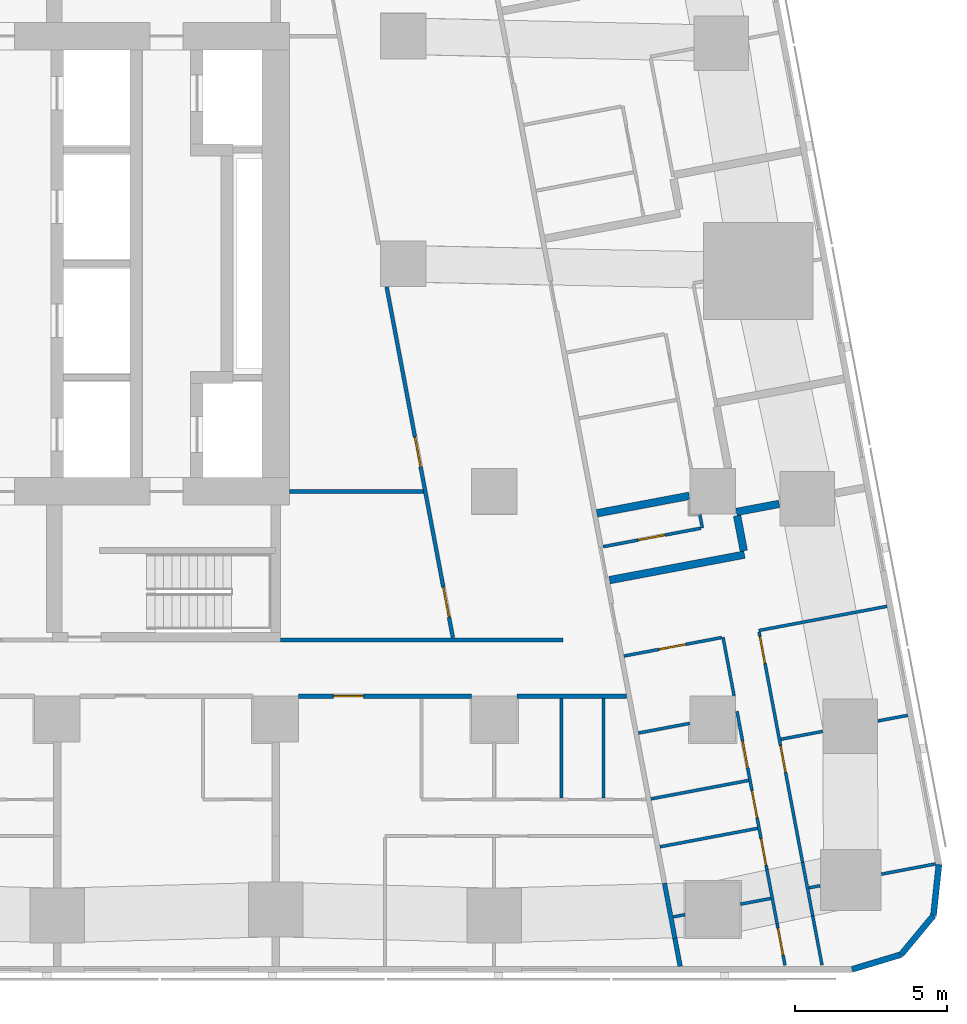
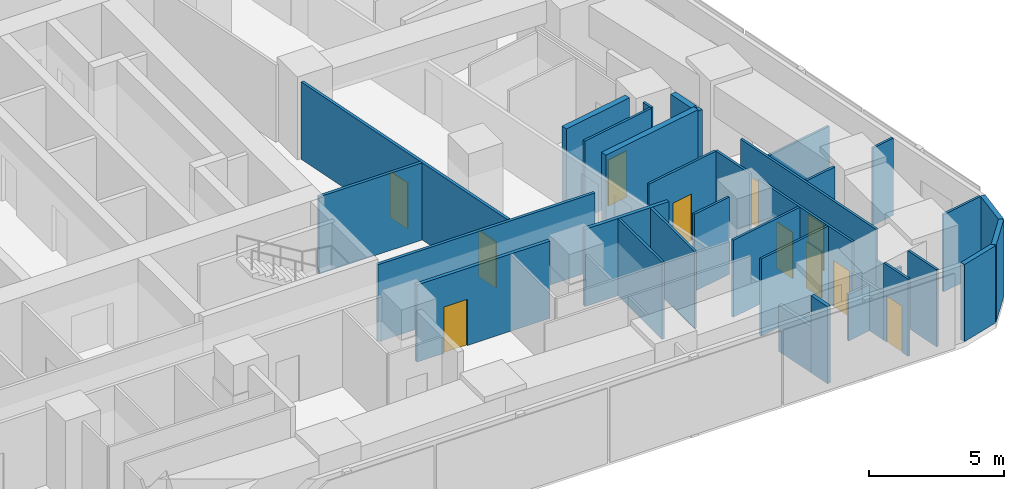
# One storey, part 6 of 15: 36 walls, 11 doors, 11 openings.
"""IFC4 building model written with IfcOpenShell, lengths in metres."""

from ifc_helpers import new_model, si_unit, direction, frame, frame_2d, origin, place, context, subcontext, project, spatial, rectangle, extrude, material, layer, layer_set, type_object, element, fill, save


model = new_model("IFC4")

# Units and contexts
model_context = context("Model", 3, precision=1e-05, world=origin(), true_north=direction((0.0, 1.0)))
body_context = subcontext(model_context, "Body", "Model", "MODEL_VIEW")
ifc_project = project(units=[si_unit("LENGTHUNIT", "METRE"), si_unit("AREAUNIT", "SQUARE_METRE"), si_unit("VOLUMEUNIT", "CUBIC_METRE"), si_unit("PLANEANGLEUNIT", "RADIAN"), si_unit("MASSUNIT", "GRAM", prefix="KILO")], contexts=[model_context])

# Site, building, storey
site_placement = place(None, origin())
site = spatial("IfcSite", under=ifc_project, at=site_placement, CompositionType="ELEMENT")
building_placement = place(site_placement, origin())
building = spatial("IfcBuilding", under=site, at=building_placement, Name="Sheger Commons Tower", CompositionType="ELEMENT")
storey_placement = place(building_placement, frame((0.0, 0.0, 177.050048828125)))
storey = spatial("IfcBuildingStorey", under=building, at=storey_placement, Name="L45", CompositionType="ELEMENT", Elevation=177.050048828125)

# Wall
ifc_material_1 = material(Name="Hollow concrete block masonry, skimmed both sides", Category="masonry")
ifc_layer_1 = layer(ifc_material_1, 0.14990234375)
ifc_layer_set_1 = layer_set([ifc_layer_1], Name="CORRIDOR WALL 150")
wall_type_1 = type_object("IfcWallType", Name="CORRIDOR WALL 150", PredefinedType="SOLIDWALL", material=ifc_layer_set_1)
wall_1_placement = place(storey_placement, frame((40.35595703125, 8.25, 0.0), z_axis=(0.0, 0.0, 1.0), x_axis=(-1.0, 0.0, 0.0)))
element("IfcWall", 1, at=wall_1_placement, inside=storey, type_object=wall_type_1, Name="Corridor wall L45", PredefinedType="SOLIDWALL", context=body_context, shape_type="SweptSolid", body=[
    extrude(rectangle(XDim=3.60498046875, YDim=0.14990234375, at=frame_2d((1.802490234375, 0.0))), origin(), (0.0, 0.0, 1.0), 3.5),
])

# Wall, opening, door
wall_2_placement = place(storey_placement, frame((35.2490234375, 8.25, 0.0), z_axis=(0.0, 0.0, 1.0), x_axis=(-1.0, 0.0, 0.0)))
wall_2 = element("IfcWall", 2, at=wall_2_placement, inside=storey, type_object=wall_type_1, Name="Corridor wall L45", PredefinedType="SOLIDWALL", context=body_context, shape_type="SweptSolid", body=[
    extrude(rectangle(XDim=5.697998046875, YDim=0.14990234375, at=frame_2d((2.84912109375, 0.0))), origin(), (0.0, 0.0, 1.0), 3.5),
])
opening_1_placement = place(wall_2_placement, frame((3.549072265625, 0.0, 0.0)))
opening_1 = element("IfcOpeningElement", 3, at=opening_1_placement, cuts=wall_2, Name="Opening D1", PredefinedType="OPENING", context=body_context, shape_type="SweptSolid", body=[
    extrude(rectangle(XDim=1.0, YDim=2.10009765625, at=frame_2d((0.5, 1.050048828125))), frame((0.0, 0.0849609375, 0.0), z_axis=(0.0, -1.0, 0.0), x_axis=(1.0, 0.0, 0.0)), (0.0, 0.0, 1.0), 0.169921875),
])
ifc_material_2 = material(Name="Steel door set, fire rated", Category="steel")
door_type_1 = type_object("IfcDoorType", Name="FLAT ENTRANCE DOOR 1000x2100", OperationType="NOTDEFINED", PredefinedType="DOOR", material=ifc_material_2)
door_1_placement = place(opening_1_placement, origin())
door_1 = element("IfcDoor", 4, at=door_1_placement, inside=storey, type_object=door_type_1, Name="Flat entrance door", OperationType="SINGLE_SWING_RIGHT", OverallHeight=2.10009765625, OverallWidth=1.0, PredefinedType="DOOR", context=body_context, shape_type="SweptSolid", body=[
    extrude(rectangle(XDim=1.0, YDim=2.10009765625, at=frame_2d((0.5, 1.050048828125))), frame((0.0, 0.02490234375, 0.0), z_axis=(0.0, -1.0, 0.0), x_axis=(1.0, 0.0, 0.0)), (0.0, 0.0, 1.0), 0.050048828125),
])
fill(opening_1, door_1)

# Walls
wall_3_placement = place(storey_placement, frame((41.60888671875, 2.093017578125, 0.0), z_axis=(0.0, 0.0, 1.0), x_axis=(0.185708872674, -0.982604811005, 0.0)))
element("IfcWall", 5, at=wall_3_placement, inside=storey, type_object=wall_type_1, Name="Corridor wall L45", PredefinedType="SOLIDWALL", context=body_context, shape_type="SweptSolid", body=[
    extrude(rectangle(XDim=1.84716796875, YDim=0.14990234375, at=frame_2d((0.923583984375, 0.0))), origin(), (0.0, 0.0, 1.0), 2.099853515625),
])
wall_4_placement = place(storey_placement, frame((41.951904296875, 0.278076171875, 0.0), z_axis=(0.0, 0.0, 1.0), x_axis=(0.185365466984, -0.982669651332, 0.0)))
element("IfcWall", 6, at=wall_4_placement, inside=storey, type_object=wall_type_1, Name="Corridor wall L45", PredefinedType="SOLIDWALL", context=body_context, shape_type="SweptSolid", body=[
    extrude(rectangle(XDim=0.9443359375, YDim=0.14990234375, at=frame_2d((0.47216796875, 0.0))), origin(), (0.0, 0.0, 1.0), 3.5),
])
ifc_material_3 = material(Name="Dense concrete block masonry, plastered both sides (separating wall between flats)", Category="masonry")
ifc_layer_2 = layer(ifc_material_3, 0.25)
ifc_layer_set_2 = layer_set([ifc_layer_2], Name="DEMISING WALL 250")
wall_type_2 = type_object("IfcWallType", Name="DEMISING WALL 250", PredefinedType="SOLIDWALL", material=ifc_layer_set_2)
wall_5_placement = place(storey_placement, frame((42.426025390625, 14.85400390625, 0.0), z_axis=(0.0, 0.0, 1.0), x_axis=(-0.982603320446, -0.185716759201, 0.0)))
element("IfcWall", 7, at=wall_5_placement, inside=storey, type_object=wall_type_2, Name="Demising wall L45", PredefinedType="SOLIDWALL", context=body_context, shape_type="SweptSolid", body=[
    extrude(rectangle(XDim=3.095947265625, YDim=0.25, at=frame_2d((1.5478515625, 0.0))), origin(), (0.0, 0.0, 1.0), 3.5),
])
wall_6_placement = place(storey_placement, frame((45.389892578125, 14.587890625, 0.0), z_axis=(0.0, 0.0, 1.0), x_axis=(-0.982680951688, -0.18530555089, 0.0)))
element("IfcWall", 8, at=wall_6_placement, inside=storey, type_object=wall_type_2, Name="Demising wall L45", PredefinedType="SOLIDWALL", context=body_context, shape_type="SweptSolid", body=[
    extrude(rectangle(XDim=1.434814453125, YDim=0.25, at=frame_2d((0.71728515625, 0.0))), origin(), (0.0, 0.0, 1.0), 2.099853515625),
])
wall_7_placement = place(storey_placement, frame((44.24609375, 12.916015625, 0.0), z_axis=(0.0, 0.0, 1.0), x_axis=(-0.982612837616, -0.185666398014, 0.0)))
element("IfcWall", 9, at=wall_7_placement, inside=storey, type_object=wall_type_2, Name="Demising wall L45", PredefinedType="SOLIDWALL", context=body_context, shape_type="SweptSolid", body=[
    extrude(rectangle(XDim=4.524658203125, YDim=0.25, at=frame_2d((2.26220703125, 0.0))), origin(), (0.0, 0.0, 1.0), 3.5),
])
wall_8_placement = place(storey_placement, frame((44.0029296875, 14.198974609375, 0.0), z_axis=(0.0, 0.0, 1.0), x_axis=(0.186323326179, -0.982488482437, 0.0)))
element("IfcWall", 10, at=wall_8_placement, inside=storey, type_object=wall_type_2, Name="Demising wall L45", PredefinedType="SOLIDWALL", context=body_context, shape_type="SweptSolid", body=[
    extrude(rectangle(XDim=1.1806640625, YDim=0.25, at=frame_2d((0.59033203125, 0.0))), origin(), (0.0, 0.0, 1.0), 3.5),
])
ifc_material_4 = material(Name="Rendered concrete block masonry, dark grey", Category="masonry")
ifc_layer_3 = layer(ifc_material_4, 0.199951171875)
ifc_layer_set_3 = layer_set([ifc_layer_3], Name="FACADE WALL 200")
wall_type_3 = type_object("IfcWallType", Name="FACADE WALL 200", PredefinedType="SOLIDWALL", material=ifc_layer_set_3)
wall_9_placement = place(storey_placement, frame((47.791015625, -0.75, 0.0), z_axis=(0.0, 0.0, 1.0), x_axis=(0.957455232626, 0.288581838509, 0.0)))
element("IfcWall", 11, at=wall_9_placement, inside=storey, type_object=wall_type_3, Name="Facade wall L45", PredefinedType="SOLIDWALL", context=body_context, shape_type="SweptSolid", body=[
    extrude(rectangle(XDim=1.687744140625, YDim=0.199951171875, at=frame_2d((0.84375, 0.0))), origin(), (0.0, 0.0, 1.0), 3.5),
])
wall_10_placement = place(storey_placement, frame((49.406982421875, -0.262939453125, 0.0), z_axis=(0.0, 0.0, 1.0), x_axis=(0.638042593423, 0.770001070764, 0.0)))
element("IfcWall", 12, at=wall_10_placement, inside=storey, type_object=wall_type_3, Name="Facade wall L45", PredefinedType="SOLIDWALL", context=body_context, shape_type="SweptSolid", body=[
    extrude(rectangle(XDim=1.672607421875, YDim=0.199951171875, at=frame_2d((0.83642578125, 0.0))), origin(), (0.0, 0.0, 1.0), 3.5),
])
wall_11_placement = place(storey_placement, frame((50.47412109375, 1.02490234375, 0.0), z_axis=(0.0, 0.0, 1.0), x_axis=(0.106047815515, 0.994361031429, 0.0)))
element("IfcWall", 13, at=wall_11_placement, inside=storey, type_object=wall_type_3, Name="Facade wall L45", PredefinedType="SOLIDWALL", context=body_context, shape_type="SweptSolid", body=[
    extrude(rectangle(XDim=1.6875, YDim=0.199951171875, at=frame_2d((0.84375, 0.0))), origin(), (0.0, 0.0, 1.0), 3.5),
])
ifc_material_5 = material(Name="Gypsum board on steel studs", Category="steel")
ifc_layer_4 = layer(ifc_material_5, 0.10009765625)
ifc_layer_set_4 = layer_set([ifc_layer_4], Name="PARTITION 100")
wall_type_4 = type_object("IfcWallType", Name="PARTITION 100", PredefinedType="PARTITIONING", material=ifc_layer_set_4)
for number, where, z_axis, x_axis, name in (
    (14, (39.60009765625, 4.89990234375, 0.0), (0.0, 0.0, 1.0), (0.0, 1.0, 0.0), "Partition L45"),
    (15, (38.2099609375, 4.89990234375, 0.0), (0.0, 0.0, 1.0), (0.0, 1.0, 0.0), "Partition L45"),
):
    element("IfcWall", number, at=place(storey_placement, frame(where, z_axis=z_axis, x_axis=x_axis)), inside=storey, type_object=wall_type_4, Name=name, PredefinedType="PARTITIONING", context=body_context, shape_type="SweptSolid", body=[
        extrude(rectangle(XDim=3.275146484375, YDim=0.10009765625, at=frame_2d((1.6376953125, 0.0))), origin(), (0.0, 0.0, 1.0), 3.5),
    ])
wall_12_placement = place(storey_placement, frame((42.77490234375, 14.239990234375, 0.0), z_axis=(0.0, 0.0, 1.0), x_axis=(0.185035443692, -0.982731847748, 0.0)))
element("IfcWall", 16, at=wall_12_placement, inside=storey, type_object=wall_type_4, Name="Partition L45", PredefinedType="PARTITIONING", context=body_context, shape_type="SweptSolid", body=[
    extrude(rectangle(XDim=0.453857421875, YDim=0.10009765625, at=frame_2d((0.22705078125, 0.0))), origin(), (0.0, 0.0, 1.0), 3.5),
])

# Wall, opening, door
wall_13_placement = place(storey_placement, frame((42.81005859375, 13.784912109375, 0.0), z_axis=(0.0, 0.0, 1.0), x_axis=(-0.982620626894, -0.185625169636, 0.0)))
wall_13 = element("IfcWall", 17, at=wall_13_placement, inside=storey, type_object=wall_type_4, Name="Partition L45", PredefinedType="PARTITIONING", context=body_context, shape_type="SweptSolid", body=[
    extrude(rectangle(XDim=3.27490234375, YDim=0.10009765625, at=frame_2d((1.637451171875, 0.0))), origin(), (0.0, 0.0, 1.0), 3.5),
])
opening_2_placement = place(wall_13_placement, frame((1.200927734375, 0.0, 0.0)))
opening_2 = element("IfcOpeningElement", 18, at=opening_2_placement, cuts=wall_13, Name="Opening D2", PredefinedType="OPENING", context=body_context, shape_type="SweptSolid", body=[
    extrude(rectangle(XDim=0.89990234375, YDim=2.10009765625, at=frame_2d((0.449951171875, 1.050048828125))), frame((0.0, 0.06005859375, 0.0), z_axis=(0.0, -1.0, 0.0), x_axis=(1.0, 0.0, 0.0)), (0.0, 0.0, 1.0), 0.1201171875),
])
ifc_material_6 = material(Name="Timber door set", Category="wood")
door_type_2 = type_object("IfcDoorType", Name="INTERNAL DOOR 900x2100", OperationType="NOTDEFINED", PredefinedType="DOOR", material=ifc_material_6)
door_2_placement = place(opening_2_placement, origin())
door_2 = element("IfcDoor", 19, at=door_2_placement, inside=storey, type_object=door_type_2, Name="Shower room door", OperationType="SINGLE_SWING_LEFT", OverallHeight=2.10009765625, OverallWidth=0.89990234375, PredefinedType="DOOR", context=body_context, shape_type="SweptSolid", body=[
    extrude(rectangle(XDim=0.89990234375, YDim=2.10009765625, at=frame_2d((0.449951171875, 1.050048828125))), frame((0.0, 0.02490234375, 0.0), z_axis=(0.0, -1.0, 0.0), x_axis=(1.0, 0.0, 0.0)), (0.0, 0.0, 1.0), 0.050048828125),
])
fill(opening_2, door_2)

# Wall, openings, doors
wall_14_placement = place(storey_placement, frame((44.72705078125, 10.365966796875, 0.0), z_axis=(0.0, 0.0, 1.0), x_axis=(0.185578957652, -0.982629355595, 0.0)))
wall_14 = element("IfcWall", 20, at=wall_14_placement, inside=storey, type_object=wall_type_4, Name="Partition L45", PredefinedType="PARTITIONING", context=body_context, shape_type="SweptSolid", body=[
    extrude(rectangle(XDim=7.720947265625, YDim=0.10009765625, at=frame_2d((3.8603515625, 0.0))), origin(), (0.0, 0.0, 1.0), 3.5),
])
opening_3_placement = place(wall_14_placement, frame((0.15087890625, 0.0, 0.0)))
opening_3 = element("IfcOpeningElement", 21, at=opening_3_placement, cuts=wall_14, Name="Opening D2", PredefinedType="OPENING", context=body_context, shape_type="SweptSolid", body=[
    extrude(rectangle(XDim=0.89990234375, YDim=2.10009765625, at=frame_2d((0.449951171875, 1.050048828125))), frame((0.0, 0.06005859375, 0.0), z_axis=(0.0, -1.0, 0.0), x_axis=(1.0, 0.0, 0.0)), (0.0, 0.0, 1.0), 0.1201171875),
])
opening_4_placement = place(wall_14_placement, frame((3.805908203125, 0.0, 0.0)))
opening_4 = element("IfcOpeningElement", 22, at=opening_4_placement, cuts=wall_14, Name="Opening D2", PredefinedType="OPENING", context=body_context, shape_type="SweptSolid", body=[
    extrude(rectangle(XDim=0.89990234375, YDim=2.10009765625, at=frame_2d((0.449951171875, 1.050048828125))), frame((0.0, 0.06005859375, 0.0), z_axis=(0.0, -1.0, 0.0), x_axis=(1.0, 0.0, 0.0)), (0.0, 0.0, 1.0), 0.1201171875),
])
door_3_placement = place(opening_3_placement, origin())
door_3 = element("IfcDoor", 23, at=door_3_placement, inside=storey, type_object=door_type_2, Name="Main bedroom door", OperationType="SINGLE_SWING_LEFT", OverallHeight=2.10009765625, OverallWidth=0.89990234375, PredefinedType="DOOR", context=body_context, shape_type="SweptSolid", body=[
    extrude(rectangle(XDim=0.89990234375, YDim=2.10009765625, at=frame_2d((0.449951171875, 1.050048828125))), frame((0.0, 0.02490234375, 0.0), z_axis=(0.0, -1.0, 0.0), x_axis=(1.0, 0.0, 0.0)), (0.0, 0.0, 1.0), 0.050048828125),
])
fill(opening_3, door_3)
door_4_placement = place(opening_4_placement, origin())
door_4 = element("IfcDoor", 24, at=door_4_placement, inside=storey, type_object=door_type_2, Name="Bedroom 2 door", OperationType="SINGLE_SWING_LEFT", OverallHeight=2.10009765625, OverallWidth=0.89990234375, PredefinedType="DOOR", context=body_context, shape_type="SweptSolid", body=[
    extrude(rectangle(XDim=0.89990234375, YDim=2.10009765625, at=frame_2d((0.449951171875, 1.050048828125))), frame((0.0, 0.02490234375, 0.0), z_axis=(0.0, -1.0, 0.0), x_axis=(1.0, 0.0, 0.0)), (0.0, 0.0, 1.0), 0.050048828125),
])
fill(opening_4, door_4)

# Walls
wall_15_placement = place(storey_placement, frame((46.159912109375, 2.779052734375, 0.0), z_axis=(0.0, 0.0, 1.0), x_axis=(0.18597295662, -0.982554863306, 0.0)))
element("IfcWall", 25, at=wall_15_placement, inside=storey, type_object=wall_type_4, Name="Partition L45", PredefinedType="PARTITIONING", context=body_context, shape_type="SweptSolid", body=[
    extrude(rectangle(XDim=1.802490234375, YDim=0.10009765625, at=frame_2d((0.9013671875, 0.0))), origin(), (0.0, 0.0, 1.0), 2.099853515625),
])
wall_16_placement = place(storey_placement, frame((46.4951171875, 1.008056640625, 0.0), z_axis=(0.0, 0.0, 1.0), x_axis=(0.185535059532, -0.982637645159, 0.0)))
element("IfcWall", 26, at=wall_16_placement, inside=storey, type_object=wall_type_4, Name="Partition L45", PredefinedType="PARTITIONING", context=body_context, shape_type="SweptSolid", body=[
    extrude(rectangle(XDim=1.6435546875, YDim=0.10009765625, at=frame_2d((0.82177734375, 0.0))), origin(), (0.0, 0.0, 1.0), 3.5),
])
wall_17_placement = place(storey_placement, frame((43.5390625, 10.19189453125, 0.0), z_axis=(0.0, 0.0, 1.0), x_axis=(0.18564540894, -0.982616803306, 0.0)))
element("IfcWall", 27, at=wall_17_placement, inside=storey, type_object=wall_type_4, Name="Partition L45", PredefinedType="PARTITIONING", context=body_context, shape_type="SweptSolid", body=[
    extrude(rectangle(XDim=1.966064453125, YDim=0.10009765625, at=frame_2d((0.98291015625, 0.0))), origin(), (0.0, 0.0, 1.0), 3.5),
])

# Wall, openings, doors
wall_18_placement = place(storey_placement, frame((43.9990234375, 7.7548828125, 0.0), z_axis=(0.0, 0.0, 1.0), x_axis=(0.185565904578, -0.982631820703, 0.0)))
wall_18 = element("IfcWall", 28, at=wall_18_placement, inside=storey, type_object=wall_type_4, Name="Partition L45", PredefinedType="PARTITIONING", context=body_context, shape_type="SweptSolid", body=[
    extrude(rectangle(XDim=5.319091796875, YDim=0.10009765625, at=frame_2d((2.65966796875, 0.0))), origin(), (0.0, 0.0, 1.0), 3.5),
])
opening_5_placement = place(wall_18_placement, frame((1.0, 0.0, 0.0)))
opening_5 = element("IfcOpeningElement", 29, at=opening_5_placement, cuts=wall_18, Name="Opening D2", PredefinedType="OPENING", context=body_context, shape_type="SweptSolid", body=[
    extrude(rectangle(XDim=0.89990234375, YDim=2.10009765625, at=frame_2d((0.449951171875, 1.050048828125))), frame((0.0, 0.06005859375, 0.0), z_axis=(0.0, -1.0, 0.0), x_axis=(1.0, 0.0, 0.0)), (0.0, 0.0, 1.0), 0.1201171875),
])
opening_6_placement = place(wall_18_placement, frame((4.26904296875, 0.0, 0.0)))
opening_6 = element("IfcOpeningElement", 30, at=opening_6_placement, cuts=wall_18, Name="Opening D2", PredefinedType="OPENING", context=body_context, shape_type="SweptSolid", body=[
    extrude(rectangle(XDim=0.89990234375, YDim=2.10009765625, at=frame_2d((0.449951171875, 1.050048828125))), frame((0.0, 0.06005859375, 0.0), z_axis=(0.0, -1.0, 0.0), x_axis=(1.0, 0.0, 0.0)), (0.0, 0.0, 1.0), 0.1201171875),
])
opening_7_placement = place(wall_18_placement, frame((2.6650390625, 0.0, 0.0)))
opening_7 = element("IfcOpeningElement", 31, at=opening_7_placement, cuts=wall_18, Name="Opening D2", PredefinedType="OPENING", context=body_context, shape_type="SweptSolid", body=[
    extrude(rectangle(XDim=0.89990234375, YDim=2.10009765625, at=frame_2d((0.449951171875, 1.050048828125))), frame((0.0, 0.06005859375, 0.0), z_axis=(0.0, -1.0, 0.0), x_axis=(1.0, 0.0, 0.0)), (0.0, 0.0, 1.0), 0.1201171875),
])
door_5_placement = place(opening_5_placement, origin())
door_5 = element("IfcDoor", 32, at=door_5_placement, inside=storey, type_object=door_type_2, Name="Bathroom door", OperationType="SINGLE_SWING_LEFT", OverallHeight=2.10009765625, OverallWidth=0.89990234375, PredefinedType="DOOR", context=body_context, shape_type="SweptSolid", body=[
    extrude(rectangle(XDim=0.89990234375, YDim=2.10009765625, at=frame_2d((0.449951171875, 1.050048828125))), frame((0.0, 0.02490234375, 0.0), z_axis=(0.0, -1.0, 0.0), x_axis=(1.0, 0.0, 0.0)), (0.0, 0.0, 1.0), 0.050048828125),
])
fill(opening_5, door_5)
door_6_placement = place(opening_6_placement, origin())
door_6 = element("IfcDoor", 33, at=door_6_placement, inside=storey, type_object=door_type_2, Name="Laundry room door", OperationType="SINGLE_SWING_LEFT", OverallHeight=2.10009765625, OverallWidth=0.89990234375, PredefinedType="DOOR", context=body_context, shape_type="SweptSolid", body=[
    extrude(rectangle(XDim=0.89990234375, YDim=2.10009765625, at=frame_2d((0.449951171875, 1.050048828125))), frame((0.0, 0.02490234375, 0.0), z_axis=(0.0, -1.0, 0.0), x_axis=(1.0, 0.0, 0.0)), (0.0, 0.0, 1.0), 0.050048828125),
])
fill(opening_6, door_6)
door_7_placement = place(opening_7_placement, origin())
door_7 = element("IfcDoor", 34, at=door_7_placement, inside=storey, type_object=door_type_2, Name="Store door", OperationType="SINGLE_SWING_LEFT", OverallHeight=2.10009765625, OverallWidth=0.89990234375, PredefinedType="DOOR", context=body_context, shape_type="SweptSolid", body=[
    extrude(rectangle(XDim=0.89990234375, YDim=2.10009765625, at=frame_2d((0.449951171875, 1.050048828125))), frame((0.0, 0.02490234375, 0.0), z_axis=(0.0, -1.0, 0.0), x_axis=(1.0, 0.0, 0.0)), (0.0, 0.0, 1.0), 0.050048828125),
])
fill(opening_7, door_7)

# Wall
wall_19_placement = place(storey_placement, frame((44.986083984375, 2.528076171875, 0.0), z_axis=(0.0, 0.0, 1.0), x_axis=(0.18584218627, -0.982579605835, 0.0)))
element("IfcWall", 35, at=wall_19_placement, inside=storey, type_object=wall_type_4, Name="Partition L45", PredefinedType="PARTITIONING", context=body_context, shape_type="SweptSolid", body=[
    extrude(rectangle(XDim=1.802490234375, YDim=0.10009765625, at=frame_2d((0.9013671875, 0.0))), origin(), (0.0, 0.0, 1.0), 2.099853515625),
])

# Wall, opening, door
wall_20_placement = place(storey_placement, frame((45.321044921875, 0.757080078125, 0.0), z_axis=(0.0, 0.0, 1.0), x_axis=(0.185640562635, -0.982617718904, 0.0)))
wall_20 = element("IfcWall", 36, at=wall_20_placement, inside=storey, type_object=wall_type_4, Name="Partition L45", PredefinedType="PARTITIONING", context=body_context, shape_type="SweptSolid", body=[
    extrude(rectangle(XDim=1.395263671875, YDim=0.10009765625, at=frame_2d((0.69775390625, 0.0))), origin(), (0.0, 0.0, 1.0), 3.5),
])
opening_8_placement = place(wall_20_placement, frame((0.14990234375, 0.0, 0.0)))
opening_8 = element("IfcOpeningElement", 37, at=opening_8_placement, cuts=wall_20, Name="Opening D2", PredefinedType="OPENING", context=body_context, shape_type="SweptSolid", body=[
    extrude(rectangle(XDim=0.89990234375, YDim=2.10009765625, at=frame_2d((0.449951171875, 1.050048828125))), frame((0.0, 0.06005859375, 0.0), z_axis=(0.0, -1.0, 0.0), x_axis=(1.0, 0.0, 0.0)), (0.0, 0.0, 1.0), 0.1201171875),
])
door_8_placement = place(opening_8_placement, origin())
door_8 = element("IfcDoor", 38, at=door_8_placement, inside=storey, type_object=door_type_2, Name="Laundry room door", OperationType="SINGLE_SWING_RIGHT", OverallHeight=2.10009765625, OverallWidth=0.89990234375, PredefinedType="DOOR", context=body_context, shape_type="SweptSolid", body=[
    extrude(rectangle(XDim=0.89990234375, YDim=2.10009765625, at=frame_2d((0.449951171875, 1.050048828125))), frame((0.0, 0.02490234375, 0.0), z_axis=(0.0, -1.0, 0.0), x_axis=(1.0, 0.0, 0.0)), (0.0, 0.0, 1.0), 0.050048828125),
])
fill(opening_8, door_8)

# Walls
wall_21_placement = place(storey_placement, frame((48.943115234375, 11.212890625, 0.0), z_axis=(0.0, 0.0, 1.0), x_axis=(-0.982633535512, -0.185556823879, 0.0)))
element("IfcWall", 39, at=wall_21_placement, inside=storey, type_object=wall_type_4, Name="Partition L45", PredefinedType="PARTITIONING", context=body_context, shape_type="SweptSolid", body=[
    extrude(rectangle(XDim=4.2998046875, YDim=0.10009765625, at=frame_2d((2.14990234375, 0.0))), origin(), (0.0, 0.0, 1.0), 2.099853515625),
])
wall_22_placement = place(storey_placement, frame((49.6220703125, 7.6201171875, 0.0), z_axis=(0.0, 0.0, 1.0), x_axis=(-0.982708646087, -0.185158626332, 0.0)))
element("IfcWall", 40, at=wall_22_placement, inside=storey, type_object=wall_type_4, Name="Partition L45", PredefinedType="PARTITIONING", context=body_context, shape_type="SweptSolid", body=[
    extrude(rectangle(XDim=0.99951171875, YDim=0.10009765625, at=frame_2d((0.499755859375, 0.0))), origin(), (0.0, 0.0, 1.0), 3.5),
])
wall_23_placement = place(storey_placement, frame((46.820068359375, 7.091064453125, 0.0), z_axis=(0.0, 0.0, 1.0), x_axis=(-0.982689853246, -0.185258339427, 0.0)))
element("IfcWall", 41, at=wall_23_placement, inside=storey, type_object=wall_type_4, Name="Partition L45", PredefinedType="PARTITIONING", context=body_context, shape_type="SweptSolid", body=[
    extrude(rectangle(XDim=1.398193359375, YDim=0.10009765625, at=frame_2d((0.69921875, 0.0))), origin(), (0.0, 0.0, 1.0), 3.5),
])
wall_24_placement = place(storey_placement, frame((50.547119140625, 2.72607421875, 0.0), z_axis=(0.0, 0.0, 1.0), x_axis=(-0.982603988143, -0.185713226471, 0.0)))
element("IfcWall", 42, at=wall_24_placement, inside=storey, type_object=wall_type_4, Name="Partition L45", PredefinedType="PARTITIONING", context=body_context, shape_type="SweptSolid", body=[
    extrude(rectangle(XDim=1.82080078125, YDim=0.10009765625, at=frame_2d((0.910400390625, 0.0))), origin(), (0.0, 0.0, 1.0), 3.5),
])
wall_25_placement = place(storey_placement, frame((46.738037109375, 2.006103515625, 0.0), z_axis=(0.0, 0.0, 1.0), x_axis=(-0.982820466874, -0.184564161994, 0.0)))
element("IfcWall", 43, at=wall_25_placement, inside=storey, type_object=wall_type_4, Name="Partition L45", PredefinedType="PARTITIONING", context=body_context, shape_type="SweptSolid", body=[
    extrude(rectangle(XDim=0.374267578125, YDim=0.10009765625, at=frame_2d((0.18701171875, 0.0))), origin(), (0.0, 0.0, 1.0), 2.099853515625),
])

# Wall, opening, door
wall_26_placement = place(storey_placement, frame((43.489990234375, 10.18310546875, 0.0), z_axis=(0.0, 0.0, 1.0), x_axis=(-0.982607026909, -0.185697147715, 0.0)))
wall_26 = element("IfcWall", 44, at=wall_26_placement, inside=storey, type_object=wall_type_4, Name="Partition L45", PredefinedType="PARTITIONING", context=body_context, shape_type="SweptSolid", body=[
    extrude(rectangle(XDim=3.27490234375, YDim=0.10009765625, at=frame_2d((1.637451171875, 0.0))), origin(), (0.0, 0.0, 1.0), 3.5),
])
opening_9_placement = place(wall_26_placement, frame((1.199951171875, 0.0, 0.0)))
opening_9 = element("IfcOpeningElement", 45, at=opening_9_placement, cuts=wall_26, Name="Opening D2", PredefinedType="OPENING", context=body_context, shape_type="SweptSolid", body=[
    extrude(rectangle(XDim=0.89990234375, YDim=2.10009765625, at=frame_2d((0.449951171875, 1.050048828125))), frame((0.0, 0.06005859375, 0.0), z_axis=(0.0, -1.0, 0.0), x_axis=(1.0, 0.0, 0.0)), (0.0, 0.0, 1.0), 0.1201171875),
])
door_9_placement = place(opening_9_placement, origin())
door_9 = element("IfcDoor", 46, at=door_9_placement, inside=storey, type_object=door_type_2, Name="Store door", OperationType="SINGLE_SWING_LEFT", OverallHeight=2.10009765625, OverallWidth=0.89990234375, PredefinedType="DOOR", context=body_context, shape_type="SweptSolid", body=[
    extrude(rectangle(XDim=0.89990234375, YDim=2.10009765625, at=frame_2d((0.449951171875, 1.050048828125))), frame((0.0, 0.02490234375, 0.0), z_axis=(0.0, -1.0, 0.0), x_axis=(1.0, 0.0, 0.0)), (0.0, 0.0, 1.0), 0.050048828125),
])
fill(opening_9, door_9)

# Walls
wall_27_placement = place(storey_placement, frame((42.43994140625, 7.35693359375, 0.0), z_axis=(0.0, 0.0, 1.0), x_axis=(-0.982643094077, -0.185506198448, 0.0)))
element("IfcWall", 47, at=wall_27_placement, inside=storey, type_object=wall_type_4, Name="Partition L45", PredefinedType="PARTITIONING", context=body_context, shape_type="SweptSolid", body=[
    extrude(rectangle(XDim=1.71875, YDim=0.10009765625, at=frame_2d((0.859375, 0.0))), origin(), (0.0, 0.0, 1.0), 3.5),
])
wall_28_placement = place(storey_placement, frame((45.114013671875, 1.5869140625, 0.0), z_axis=(0.0, 0.0, 1.0), x_axis=(-0.982567886437, -0.185904138047, 0.0)))
element("IfcWall", 48, at=wall_28_placement, inside=storey, type_object=wall_type_4, Name="Partition L45", PredefinedType="PARTITIONING", context=body_context, shape_type="SweptSolid", body=[
    extrude(rectangle(XDim=1.021728515625, YDim=0.10009765625, at=frame_2d((0.5107421875, 0.0))), origin(), (0.0, 0.0, 1.0), 2.099853515625),
])
wall_29_placement = place(storey_placement, frame((42.2900390625, 1.052978515625, 0.0), z_axis=(0.0, 0.0, 1.0), x_axis=(-0.982830800147, -0.184509127909, 0.0)))
element("IfcWall", 49, at=wall_29_placement, inside=storey, type_object=wall_type_4, Name="Partition L45", PredefinedType="PARTITIONING", context=body_context, shape_type="SweptSolid", body=[
    extrude(rectangle(XDim=0.40087890625, YDim=0.10009765625, at=frame_2d((0.200439453125, 0.0))), origin(), (0.0, 0.0, 1.0), 2.099853515625),
])
wall_30_placement = place(storey_placement, frame((44.677001953125, 3.89599609375, 0.0), z_axis=(0.0, 0.0, 1.0), x_axis=(-0.982610347627, -0.185679575441, 0.0)))
element("IfcWall", 50, at=wall_30_placement, inside=storey, type_object=wall_type_4, Name="Partition L45", PredefinedType="PARTITIONING", context=body_context, shape_type="SweptSolid", body=[
    extrude(rectangle(XDim=3.27392578125, YDim=0.10009765625, at=frame_2d((1.636962890625, 0.0))), origin(), (0.0, 0.0, 1.0), 3.5),
])
wall_31_placement = place(storey_placement, frame((44.37890625, 5.47412109375, 0.0), z_axis=(0.0, 0.0, 1.0), x_axis=(-0.982607026909, -0.185697147715, 0.0)))
element("IfcWall", 51, at=wall_31_placement, inside=storey, type_object=wall_type_4, Name="Partition L45", PredefinedType="PARTITIONING", context=body_context, shape_type="SweptSolid", body=[
    extrude(rectangle(XDim=3.27490234375, YDim=0.10009765625, at=frame_2d((1.637451171875, 0.0))), origin(), (0.0, 0.0, 1.0), 3.5),
])
ifc_material_7 = material(Name="Gypsum board on steel studs, two layers each side, fire rated", Category="steel")
ifc_layer_5 = layer(ifc_material_7, 0.125)
ifc_layer_set_5 = layer_set([ifc_layer_5], Name="SERVICE WALL 125")
wall_type_5 = type_object("IfcWallType", Name="SERVICE WALL 125", PredefinedType="PARTITIONING", material=ifc_layer_set_5)
wall_32_placement = place(storey_placement, frame((28.949951171875, 10.10009765625, 0.0), z_axis=(0.0, 0.0, 1.0), x_axis=(1.0, 0.0, 0.0)))
element("IfcWall", 52, at=wall_32_placement, inside=storey, type_object=wall_type_5, Name="Service room wall L45", PredefinedType="PARTITIONING", context=body_context, shape_type="SweptSolid", body=[
    extrude(rectangle(XDim=9.31494140625, YDim=0.125, at=frame_2d((4.657470703125, 0.0))), origin(), (0.0, 0.0, 1.0), 3.5),
])

# Wall, openings, doors
wall_33_placement = place(storey_placement, frame((34.637939453125, 10.174072265625, 0.0), z_axis=(0.0, 0.0, 1.0), x_axis=(-0.185583626094, 0.982628473903, 0.0)))
wall_33 = element("IfcWall", 53, at=wall_33_placement, inside=storey, type_object=wall_type_5, Name="Service room wall L45", PredefinedType="PARTITIONING", context=body_context, shape_type="SweptSolid", body=[
    extrude(rectangle(XDim=11.767333984375, YDim=0.125, at=frame_2d((5.8837890625, 0.0))), origin(), (0.0, 0.0, 1.0), 3.5),
])
opening_10_placement = place(wall_33_placement, frame((0.697021484375, 0.0, 0.0)))
opening_10 = element("IfcOpeningElement", 54, at=opening_10_placement, cuts=wall_33, Name="Opening D4", PredefinedType="OPENING", context=body_context, shape_type="SweptSolid", body=[
    extrude(rectangle(XDim=1.0, YDim=2.10009765625, at=frame_2d((0.5, 1.050048828125))), frame((0.0, 0.072509765625, 0.0), z_axis=(0.0, -1.0, 0.0), x_axis=(1.0, 0.0, 0.0)), (0.0, 0.0, 1.0), 0.14501953125),
])
opening_11_placement = place(wall_33_placement, frame((5.73388671875, 0.0, 0.0)))
opening_11 = element("IfcOpeningElement", 55, at=opening_11_placement, cuts=wall_33, Name="Opening D4", PredefinedType="OPENING", context=body_context, shape_type="SweptSolid", body=[
    extrude(rectangle(XDim=1.0, YDim=2.10009765625, at=frame_2d((0.5, 1.050048828125))), frame((0.0, 0.072509765625, 0.0), z_axis=(0.0, -1.0, 0.0), x_axis=(1.0, 0.0, 0.0)), (0.0, 0.0, 1.0), 0.14501953125),
])
ifc_material_8 = material(Name="Steel door set, fire rated", Category="steel")
door_type_3 = type_object("IfcDoorType", Name="SERVICE DOOR 1000x2100", OperationType="NOTDEFINED", PredefinedType="DOOR", material=ifc_material_8)
door_10_placement = place(opening_10_placement, origin())
door_10 = element("IfcDoor", 56, at=door_10_placement, inside=storey, type_object=door_type_3, Name="Parcel and delivery room door", OperationType="SINGLE_SWING_LEFT", OverallHeight=2.10009765625, OverallWidth=1.0, PredefinedType="DOOR", context=body_context, shape_type="SweptSolid", body=[
    extrude(rectangle(XDim=1.0, YDim=2.10009765625, at=frame_2d((0.5, 1.050048828125))), frame((0.0, 0.02490234375, 0.0), z_axis=(0.0, -1.0, 0.0), x_axis=(1.0, 0.0, 0.0)), (0.0, 0.0, 1.0), 0.050048828125),
])
fill(opening_10, door_10)
door_11_placement = place(opening_11_placement, origin())
door_11 = element("IfcDoor", 57, at=door_11_placement, inside=storey, type_object=door_type_3, Name="Residents' gym door", OperationType="SINGLE_SWING_LEFT", OverallHeight=2.10009765625, OverallWidth=1.0, PredefinedType="DOOR", context=body_context, shape_type="SweptSolid", body=[
    extrude(rectangle(XDim=1.0, YDim=2.10009765625, at=frame_2d((0.5, 1.050048828125))), frame((0.0, 0.02490234375, 0.0), z_axis=(0.0, -1.0, 0.0), x_axis=(1.0, 0.0, 0.0)), (0.0, 0.0, 1.0), 0.050048828125),
])
fill(opening_11, door_11)

# Wall
wall_34_placement = place(storey_placement, frame((29.25, 15.0, 0.0), z_axis=(0.0, 0.0, 1.0), x_axis=(1.0, 0.0, 0.0)))
element("IfcWall", 58, at=wall_34_placement, inside=storey, type_object=wall_type_5, Name="Service room wall L45", PredefinedType="PARTITIONING", context=body_context, shape_type="SweptSolid", body=[
    extrude(rectangle(XDim=4.4130859375, YDim=0.125, at=frame_2d((2.20654296875, 0.0))), origin(), (0.0, 0.0, 1.0), 3.5),
])

save(model, "model.ifc")
